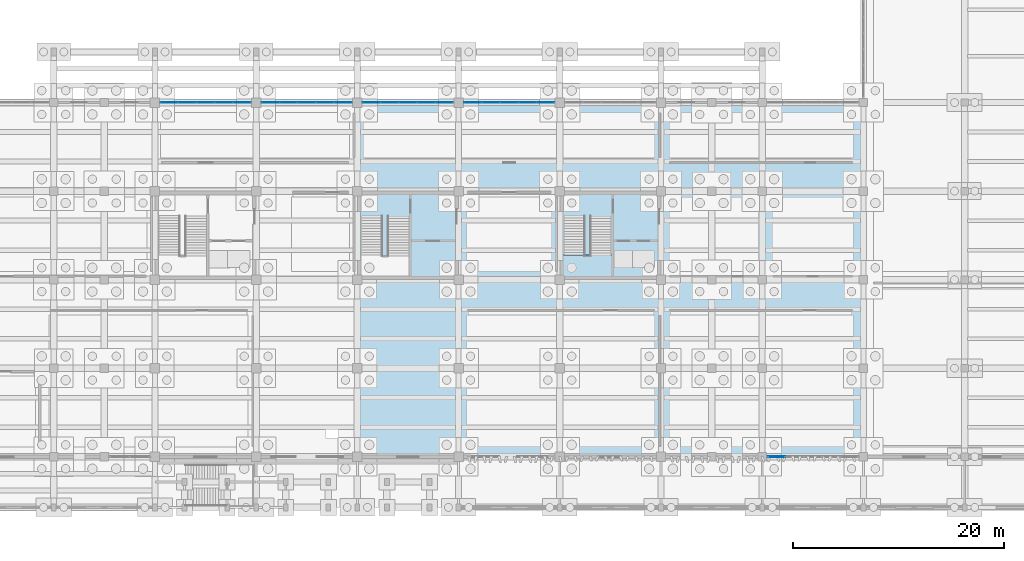
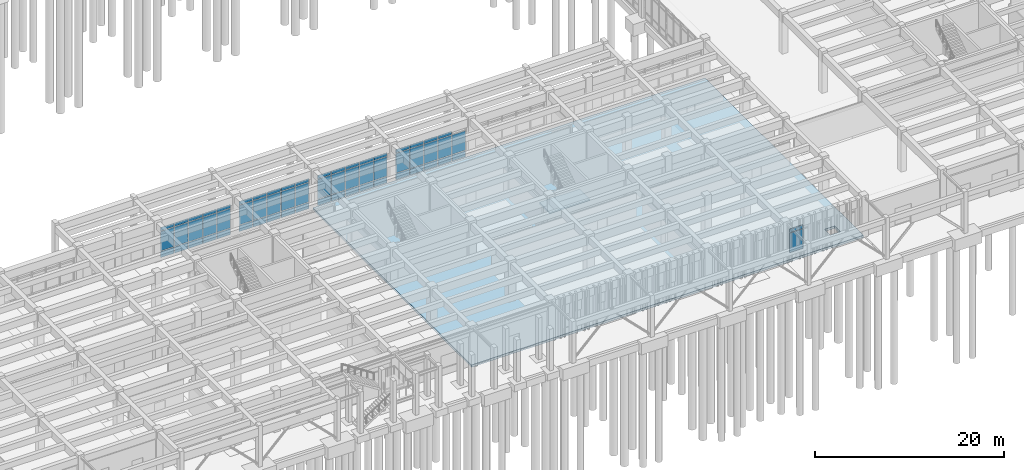
# One storey, part 58 of 102: 61 plates, 2 slabs, 6 elements without a shape of their own.
"""IFC4 building model written with IfcOpenShell, lengths in metres."""

from ifc_helpers import new_model, si_unit, direction, frame, origin, origin_2d, place, context, subcontext, project, spatial, polyline, rectangle, outline, extrude, material, layer, layer_set, type_object, element, aggregate, save


model = new_model("IFC4")

# Units and contexts
model_context = context("Model", 3, precision=1e-05, world=origin(), true_north=direction((0.0, 1.0)))
body_context = subcontext(model_context, "Body", "Model", "MODEL_VIEW")
ifc_project = project(units=[si_unit("LENGTHUNIT", "METRE"), si_unit("AREAUNIT", "SQUARE_METRE"), si_unit("VOLUMEUNIT", "CUBIC_METRE"), si_unit("PLANEANGLEUNIT", "RADIAN"), si_unit("MASSUNIT", "GRAM", prefix="KILO")], contexts=[model_context])

# Site, building, storey
site_placement = place(None, origin())
site = spatial("IfcSite", under=ifc_project, at=site_placement, CompositionType="ELEMENT")
building_placement = place(site_placement, origin())
building = spatial("IfcBuilding", under=site, at=building_placement, Name="Kolvemor Railside Polytechnic", CompositionType="ELEMENT")
storey_placement = place(building_placement, origin())
storey = spatial("IfcBuildingStorey", under=building, at=storey_placement, Name="L00", CompositionType="ELEMENT", Elevation=0.0)

# Curtain wall, plates
ifc_material_1 = material(Name="Anodised marine aluminium and laminated low-E glass", Category="aluminium")
ifc_layer_1 = layer(ifc_material_1, 0.179931640625, Name="CW-UNIT-STD")
ifc_layer_set_1 = layer_set([ifc_layer_1], Name="Anodised marine aluminium and laminated low-E glass")
curtain_wall_type = type_object("IfcCurtainWallType", Name="CW-UNIT-STD", PredefinedType="USERDEFINED", material=ifc_layer_set_1)
curtain_wall_1_placement = place(storey_placement, origin())
curtain_wall_1 = element("IfcCurtainWall", 1, at=curtain_wall_1_placement, inside=storey, type_object=curtain_wall_type, Name="Curtain Wall L00-107", ObjectType="UNITISED CURTAIN WALL", PredefinedType="USERDEFINED")
ifc_material_2 = material(Name="Hurricane-laminated solar-control low-E glass", Category="glass")
ifc_layer_2 = layer(ifc_material_2, 0.030029296875, Name="CWP-GLZ-05")
ifc_layer_set_2 = layer_set([ifc_layer_2], Name="Hurricane-laminated solar-control low-E glass")
plate_type_1 = type_object("IfcPlateType", Name="CWP-GLZ-05", PredefinedType="CURTAIN_PANEL", material=ifc_layer_set_2)
plate_1_placement = place(storey_placement, frame((75.44775390625, 38.39990234375, 0.06494140625), z_axis=(0.0, 0.0, 1.0), x_axis=(-1.0, 0.0, 0.0)))
plate_1 = element("IfcPlate", 2, at=plate_1_placement, type_object=plate_type_1, Name="CW-STD panel 1.1", PredefinedType="CURTAIN_PANEL", context=body_context, shape_type="SweptSolid", body=[
    extrude(rectangle(XDim=1.634521484375, YDim=0.030029296875, at=origin_2d()), origin(), (0.0, 0.0, 1.0), 0.802490234375),
])
plate_2_placement = place(storey_placement, frame((75.44775390625, 38.39990234375, 0.9326171875), z_axis=(0.0, 0.0, 1.0), x_axis=(-1.0, 0.0, 0.0)))
plate_2 = element("IfcPlate", 3, at=plate_2_placement, type_object=plate_type_1, Name="CW-STD panel 1.2", PredefinedType="CURTAIN_PANEL", context=body_context, shape_type="SweptSolid", body=[
    extrude(rectangle(XDim=1.634521484375, YDim=0.030029296875, at=origin_2d()), origin(), (0.0, 0.0, 1.0), 2.52490234375),
])
plate_3_placement = place(storey_placement, frame((75.44775390625, 38.39990234375, 3.5224609375), z_axis=(0.0, 0.0, 1.0), x_axis=(-1.0, 0.0, 0.0)))
plate_3 = element("IfcPlate", 4, at=plate_3_placement, type_object=plate_type_1, Name="CW-STD panel 1.3", PredefinedType="CURTAIN_PANEL", context=body_context, shape_type="SweptSolid", body=[
    extrude(rectangle(XDim=1.634521484375, YDim=0.030029296875, at=origin_2d()), origin(), (0.0, 0.0, 1.0), 0.452392578125),
])
plate_4_placement = place(storey_placement, frame((73.73193359375, 38.39990234375, 0.06494140625), z_axis=(0.0, 0.0, 1.0), x_axis=(-1.0, 0.0, 0.0)))
plate_4 = element("IfcPlate", 5, at=plate_4_placement, type_object=plate_type_1, Name="CW-STD panel 2.1", PredefinedType="CURTAIN_PANEL", context=body_context, shape_type="SweptSolid", body=[
    extrude(rectangle(XDim=1.6669921875, YDim=0.030029296875, at=origin_2d()), origin(), (0.0, 0.0, 1.0), 0.802490234375),
])
plate_5_placement = place(storey_placement, frame((73.73193359375, 38.39990234375, 0.9326171875), z_axis=(0.0, 0.0, 1.0), x_axis=(-1.0, 0.0, 0.0)))
plate_5 = element("IfcPlate", 6, at=plate_5_placement, type_object=plate_type_1, Name="CW-STD panel 2.2", PredefinedType="CURTAIN_PANEL", context=body_context, shape_type="SweptSolid", body=[
    extrude(rectangle(XDim=1.6669921875, YDim=0.030029296875, at=origin_2d()), origin(), (0.0, 0.0, 1.0), 2.52490234375),
])
plate_6_placement = place(storey_placement, frame((73.73193359375, 38.39990234375, 3.5224609375), z_axis=(0.0, 0.0, 1.0), x_axis=(-1.0, 0.0, 0.0)))
plate_6 = element("IfcPlate", 7, at=plate_6_placement, type_object=plate_type_1, Name="CW-STD panel 2.3", PredefinedType="CURTAIN_PANEL", context=body_context, shape_type="SweptSolid", body=[
    extrude(rectangle(XDim=1.6669921875, YDim=0.030029296875, at=origin_2d()), origin(), (0.0, 0.0, 1.0), 0.452392578125),
])
plate_7_placement = place(storey_placement, frame((72.0, 38.39990234375, 0.06494140625), z_axis=(0.0, 0.0, 1.0), x_axis=(-1.0, 0.0, 0.0)))
plate_7 = element("IfcPlate", 8, at=plate_7_placement, type_object=plate_type_1, Name="CW-STD panel 3.1", PredefinedType="CURTAIN_PANEL", context=body_context, shape_type="SweptSolid", body=[
    extrude(rectangle(XDim=1.6669921875, YDim=0.030029296875, at=origin_2d()), origin(), (0.0, 0.0, 1.0), 0.802490234375),
])
plate_8_placement = place(storey_placement, frame((72.0, 38.39990234375, 0.9326171875), z_axis=(0.0, 0.0, 1.0), x_axis=(-1.0, 0.0, 0.0)))
plate_8 = element("IfcPlate", 9, at=plate_8_placement, type_object=plate_type_1, Name="CW-STD panel 3.2", PredefinedType="CURTAIN_PANEL", context=body_context, shape_type="SweptSolid", body=[
    extrude(rectangle(XDim=1.6669921875, YDim=0.030029296875, at=origin_2d()), origin(), (0.0, 0.0, 1.0), 2.52490234375),
])
plate_9_placement = place(storey_placement, frame((72.0, 38.39990234375, 3.5224609375), z_axis=(0.0, 0.0, 1.0), x_axis=(-1.0, 0.0, 0.0)))
plate_9 = element("IfcPlate", 10, at=plate_9_placement, type_object=plate_type_1, Name="CW-STD panel 3.3", PredefinedType="CURTAIN_PANEL", context=body_context, shape_type="SweptSolid", body=[
    extrude(rectangle(XDim=1.6669921875, YDim=0.030029296875, at=origin_2d()), origin(), (0.0, 0.0, 1.0), 0.452392578125),
])
plate_10_placement = place(storey_placement, frame((70.26806640625, 38.39990234375, 0.06494140625), z_axis=(0.0, 0.0, 1.0), x_axis=(-1.0, 0.0, 0.0)))
plate_10 = element("IfcPlate", 11, at=plate_10_placement, type_object=plate_type_1, Name="CW-STD panel 4.1", PredefinedType="CURTAIN_PANEL", context=body_context, shape_type="SweptSolid", body=[
    extrude(rectangle(XDim=1.6669921875, YDim=0.030029296875, at=origin_2d()), origin(), (0.0, 0.0, 1.0), 0.802490234375),
])
plate_11_placement = place(storey_placement, frame((70.26806640625, 38.39990234375, 0.9326171875), z_axis=(0.0, 0.0, 1.0), x_axis=(-1.0, 0.0, 0.0)))
plate_11 = element("IfcPlate", 12, at=plate_11_placement, type_object=plate_type_1, Name="CW-STD panel 4.2", PredefinedType="CURTAIN_PANEL", context=body_context, shape_type="SweptSolid", body=[
    extrude(rectangle(XDim=1.6669921875, YDim=0.030029296875, at=origin_2d()), origin(), (0.0, 0.0, 1.0), 2.52490234375),
])
plate_12_placement = place(storey_placement, frame((70.26806640625, 38.39990234375, 3.5224609375), z_axis=(0.0, 0.0, 1.0), x_axis=(-1.0, 0.0, 0.0)))
plate_12 = element("IfcPlate", 13, at=plate_12_placement, type_object=plate_type_1, Name="CW-STD panel 4.3", PredefinedType="CURTAIN_PANEL", context=body_context, shape_type="SweptSolid", body=[
    extrude(rectangle(XDim=1.6669921875, YDim=0.030029296875, at=origin_2d()), origin(), (0.0, 0.0, 1.0), 0.452392578125),
])
plate_13_placement = place(storey_placement, frame((68.55224609375, 38.39990234375, 0.06494140625), z_axis=(0.0, 0.0, 1.0), x_axis=(-1.0, 0.0, 0.0)))
plate_13 = element("IfcPlate", 14, at=plate_13_placement, type_object=plate_type_1, Name="CW-STD panel 5.1", PredefinedType="CURTAIN_PANEL", context=body_context, shape_type="SweptSolid", body=[
    extrude(rectangle(XDim=1.634521484375, YDim=0.030029296875, at=origin_2d()), origin(), (0.0, 0.0, 1.0), 0.802490234375),
])
plate_14_placement = place(storey_placement, frame((68.55224609375, 38.39990234375, 0.9326171875), z_axis=(0.0, 0.0, 1.0), x_axis=(-1.0, 0.0, 0.0)))
plate_14 = element("IfcPlate", 15, at=plate_14_placement, type_object=plate_type_1, Name="CW-STD panel 5.2", PredefinedType="CURTAIN_PANEL", context=body_context, shape_type="SweptSolid", body=[
    extrude(rectangle(XDim=1.634521484375, YDim=0.030029296875, at=origin_2d()), origin(), (0.0, 0.0, 1.0), 2.52490234375),
])
plate_15_placement = place(storey_placement, frame((68.55224609375, 38.39990234375, 3.5224609375), z_axis=(0.0, 0.0, 1.0), x_axis=(-1.0, 0.0, 0.0)))
plate_15 = element("IfcPlate", 16, at=plate_15_placement, type_object=plate_type_1, Name="CW-STD panel 5.3", PredefinedType="CURTAIN_PANEL", context=body_context, shape_type="SweptSolid", body=[
    extrude(rectangle(XDim=1.634521484375, YDim=0.030029296875, at=origin_2d()), origin(), (0.0, 0.0, 1.0), 0.452392578125),
])
aggregate(curtain_wall_1, [plate_1, plate_2, plate_3, plate_4, plate_5, plate_6, plate_7, plate_8, plate_9, plate_10, plate_11, plate_12, plate_13, plate_14, plate_15])

curtain_wall_2_placement = place(storey_placement, origin())
curtain_wall_2 = element("IfcCurtainWall", 17, at=curtain_wall_2_placement, inside=storey, type_object=curtain_wall_type, Name="Curtain Wall L00-108", ObjectType="UNITISED CURTAIN WALL", PredefinedType="USERDEFINED")
ifc_material_3 = material(Name="Hurricane-laminated solar-control low-E glass", Category="glass")
ifc_layer_3 = layer(ifc_material_3, 0.031982421875, Name="CWP-GLZ-06")
ifc_layer_set_3 = layer_set([ifc_layer_3], Name="Hurricane-laminated solar-control low-E glass")
plate_type_2 = type_object("IfcPlateType", Name="CWP-GLZ-06", PredefinedType="CURTAIN_PANEL", material=ifc_layer_set_3)
plate_16_placement = place(storey_placement, frame((85.0478515625, 38.39990234375, 0.06494140625), z_axis=(0.0, 0.0, 1.0), x_axis=(-1.0, 0.0, 0.0)))
plate_16 = element("IfcPlate", 18, at=plate_16_placement, type_object=plate_type_2, Name="CW-STD panel 1.1", PredefinedType="CURTAIN_PANEL", context=body_context, shape_type="SweptSolid", body=[
    extrude(rectangle(XDim=1.634521484375, YDim=0.031982421875, at=origin_2d()), origin(), (0.0, 0.0, 1.0), 0.802490234375),
])
plate_17_placement = place(storey_placement, frame((85.0478515625, 38.39990234375, 0.9326171875), z_axis=(0.0, 0.0, 1.0), x_axis=(-1.0, 0.0, 0.0)))
plate_17 = element("IfcPlate", 19, at=plate_17_placement, type_object=plate_type_2, Name="CW-STD panel 1.2", PredefinedType="CURTAIN_PANEL", context=body_context, shape_type="SweptSolid", body=[
    extrude(rectangle(XDim=1.634521484375, YDim=0.031982421875, at=origin_2d()), origin(), (0.0, 0.0, 1.0), 2.52490234375),
])
plate_18_placement = place(storey_placement, frame((85.0478515625, 38.39990234375, 3.5224609375), z_axis=(0.0, 0.0, 1.0), x_axis=(-1.0, 0.0, 0.0)))
plate_18 = element("IfcPlate", 20, at=plate_18_placement, type_object=plate_type_2, Name="CW-STD panel 1.3", PredefinedType="CURTAIN_PANEL", context=body_context, shape_type="SweptSolid", body=[
    extrude(rectangle(XDim=1.634521484375, YDim=0.031982421875, at=origin_2d()), origin(), (0.0, 0.0, 1.0), 0.452392578125),
])
plate_19_placement = place(storey_placement, frame((83.33203125, 38.39990234375, 0.06494140625), z_axis=(0.0, 0.0, 1.0), x_axis=(-1.0, 0.0, 0.0)))
plate_19 = element("IfcPlate", 21, at=plate_19_placement, type_object=plate_type_2, Name="CW-STD panel 2.1", PredefinedType="CURTAIN_PANEL", context=body_context, shape_type="SweptSolid", body=[
    extrude(rectangle(XDim=1.6669921875, YDim=0.031982421875, at=origin_2d()), origin(), (0.0, 0.0, 1.0), 0.802490234375),
])
plate_20_placement = place(storey_placement, frame((83.33203125, 38.39990234375, 0.9326171875), z_axis=(0.0, 0.0, 1.0), x_axis=(-1.0, 0.0, 0.0)))
plate_20 = element("IfcPlate", 22, at=plate_20_placement, type_object=plate_type_2, Name="CW-STD panel 2.2", PredefinedType="CURTAIN_PANEL", context=body_context, shape_type="SweptSolid", body=[
    extrude(rectangle(XDim=1.6669921875, YDim=0.031982421875, at=origin_2d()), origin(), (0.0, 0.0, 1.0), 2.52490234375),
])
plate_21_placement = place(storey_placement, frame((83.33203125, 38.39990234375, 3.5224609375), z_axis=(0.0, 0.0, 1.0), x_axis=(-1.0, 0.0, 0.0)))
plate_21 = element("IfcPlate", 23, at=plate_21_placement, type_object=plate_type_2, Name="CW-STD panel 2.3", PredefinedType="CURTAIN_PANEL", context=body_context, shape_type="SweptSolid", body=[
    extrude(rectangle(XDim=1.6669921875, YDim=0.031982421875, at=origin_2d()), origin(), (0.0, 0.0, 1.0), 0.452392578125),
])
plate_22_placement = place(storey_placement, frame((81.60009765625, 38.39990234375, 0.06494140625), z_axis=(0.0, 0.0, 1.0), x_axis=(-1.0, 0.0, 0.0)))
plate_22 = element("IfcPlate", 24, at=plate_22_placement, type_object=plate_type_2, Name="CW-STD panel 3.1", PredefinedType="CURTAIN_PANEL", context=body_context, shape_type="SweptSolid", body=[
    extrude(rectangle(XDim=1.6669921875, YDim=0.031982421875, at=origin_2d()), origin(), (0.0, 0.0, 1.0), 0.802490234375),
])
plate_23_placement = place(storey_placement, frame((81.60009765625, 38.39990234375, 0.9326171875), z_axis=(0.0, 0.0, 1.0), x_axis=(-1.0, 0.0, 0.0)))
plate_23 = element("IfcPlate", 25, at=plate_23_placement, type_object=plate_type_2, Name="CW-STD panel 3.2", PredefinedType="CURTAIN_PANEL", context=body_context, shape_type="SweptSolid", body=[
    extrude(rectangle(XDim=1.6669921875, YDim=0.031982421875, at=origin_2d()), origin(), (0.0, 0.0, 1.0), 2.52490234375),
])
plate_24_placement = place(storey_placement, frame((81.60009765625, 38.39990234375, 3.5224609375), z_axis=(0.0, 0.0, 1.0), x_axis=(-1.0, 0.0, 0.0)))
plate_24 = element("IfcPlate", 26, at=plate_24_placement, type_object=plate_type_2, Name="CW-STD panel 3.3", PredefinedType="CURTAIN_PANEL", context=body_context, shape_type="SweptSolid", body=[
    extrude(rectangle(XDim=1.6669921875, YDim=0.031982421875, at=origin_2d()), origin(), (0.0, 0.0, 1.0), 0.452392578125),
])
plate_25_placement = place(storey_placement, frame((79.867919921875, 38.39990234375, 0.06494140625), z_axis=(0.0, 0.0, 1.0), x_axis=(-1.0, 0.0, 0.0)))
plate_25 = element("IfcPlate", 27, at=plate_25_placement, type_object=plate_type_2, Name="CW-STD panel 4.1", PredefinedType="CURTAIN_PANEL", context=body_context, shape_type="SweptSolid", body=[
    extrude(rectangle(XDim=1.6669921875, YDim=0.031982421875, at=origin_2d()), origin(), (0.0, 0.0, 1.0), 0.802490234375),
])
plate_26_placement = place(storey_placement, frame((79.867919921875, 38.39990234375, 0.9326171875), z_axis=(0.0, 0.0, 1.0), x_axis=(-1.0, 0.0, 0.0)))
plate_26 = element("IfcPlate", 28, at=plate_26_placement, type_object=plate_type_2, Name="CW-STD panel 4.2", PredefinedType="CURTAIN_PANEL", context=body_context, shape_type="SweptSolid", body=[
    extrude(rectangle(XDim=1.6669921875, YDim=0.031982421875, at=origin_2d()), origin(), (0.0, 0.0, 1.0), 2.52490234375),
])
plate_27_placement = place(storey_placement, frame((79.867919921875, 38.39990234375, 3.5224609375), z_axis=(0.0, 0.0, 1.0), x_axis=(-1.0, 0.0, 0.0)))
plate_27 = element("IfcPlate", 29, at=plate_27_placement, type_object=plate_type_2, Name="CW-STD panel 4.3", PredefinedType="CURTAIN_PANEL", context=body_context, shape_type="SweptSolid", body=[
    extrude(rectangle(XDim=1.6669921875, YDim=0.031982421875, at=origin_2d()), origin(), (0.0, 0.0, 1.0), 0.452392578125),
])
plate_28_placement = place(storey_placement, frame((78.15234375, 38.39990234375, 0.06494140625), z_axis=(0.0, 0.0, 1.0), x_axis=(-1.0, 0.0, 0.0)))
plate_28 = element("IfcPlate", 30, at=plate_28_placement, type_object=plate_type_2, Name="CW-STD panel 5.1", PredefinedType="CURTAIN_PANEL", context=body_context, shape_type="SweptSolid", body=[
    extrude(rectangle(XDim=1.634521484375, YDim=0.031982421875, at=origin_2d()), origin(), (0.0, 0.0, 1.0), 0.802490234375),
])
plate_29_placement = place(storey_placement, frame((78.15234375, 38.39990234375, 0.9326171875), z_axis=(0.0, 0.0, 1.0), x_axis=(-1.0, 0.0, 0.0)))
plate_29 = element("IfcPlate", 31, at=plate_29_placement, type_object=plate_type_2, Name="CW-STD panel 5.2", PredefinedType="CURTAIN_PANEL", context=body_context, shape_type="SweptSolid", body=[
    extrude(rectangle(XDim=1.634521484375, YDim=0.031982421875, at=origin_2d()), origin(), (0.0, 0.0, 1.0), 2.52490234375),
])
plate_30_placement = place(storey_placement, frame((78.15234375, 38.39990234375, 3.5224609375), z_axis=(0.0, 0.0, 1.0), x_axis=(-1.0, 0.0, 0.0)))
plate_30 = element("IfcPlate", 32, at=plate_30_placement, type_object=plate_type_2, Name="CW-STD panel 5.3", PredefinedType="CURTAIN_PANEL", context=body_context, shape_type="SweptSolid", body=[
    extrude(rectangle(XDim=1.634521484375, YDim=0.031982421875, at=origin_2d()), origin(), (0.0, 0.0, 1.0), 0.452392578125),
])
aggregate(curtain_wall_2, [plate_16, plate_17, plate_18, plate_19, plate_20, plate_21, plate_22, plate_23, plate_24, plate_25, plate_26, plate_27, plate_28, plate_29, plate_30])

curtain_wall_3_placement = place(storey_placement, origin())
curtain_wall_3 = element("IfcCurtainWall", 33, at=curtain_wall_3_placement, inside=storey, type_object=curtain_wall_type, Name="Curtain Wall L00-109", ObjectType="UNITISED CURTAIN WALL", PredefinedType="USERDEFINED")
ifc_material_4 = material(Name="Hurricane-laminated solar-control low-E glass", Category="glass")
ifc_layer_4 = layer(ifc_material_4, 0.033935546875, Name="CWP-GLZ-07")
ifc_layer_set_4 = layer_set([ifc_layer_4], Name="Hurricane-laminated solar-control low-E glass")
plate_type_3 = type_object("IfcPlateType", Name="CWP-GLZ-07", PredefinedType="CURTAIN_PANEL", material=ifc_layer_set_4)
plate_31_placement = place(storey_placement, frame((94.647705078125, 38.39990234375, 0.06494140625), z_axis=(0.0, 0.0, 1.0), x_axis=(-1.0, 0.0, 0.0)))
plate_31 = element("IfcPlate", 34, at=plate_31_placement, type_object=plate_type_3, Name="CW-STD panel 1.1", PredefinedType="CURTAIN_PANEL", context=body_context, shape_type="SweptSolid", body=[
    extrude(rectangle(XDim=1.634521484375, YDim=0.033935546875, at=origin_2d()), origin(), (0.0, 0.0, 1.0), 0.802490234375),
])
plate_32_placement = place(storey_placement, frame((94.647705078125, 38.39990234375, 0.9326171875), z_axis=(0.0, 0.0, 1.0), x_axis=(-1.0, 0.0, 0.0)))
plate_32 = element("IfcPlate", 35, at=plate_32_placement, type_object=plate_type_3, Name="CW-STD panel 1.2", PredefinedType="CURTAIN_PANEL", context=body_context, shape_type="SweptSolid", body=[
    extrude(rectangle(XDim=1.634521484375, YDim=0.033935546875, at=origin_2d()), origin(), (0.0, 0.0, 1.0), 2.52490234375),
])
plate_33_placement = place(storey_placement, frame((94.647705078125, 38.39990234375, 3.5224609375), z_axis=(0.0, 0.0, 1.0), x_axis=(-1.0, 0.0, 0.0)))
plate_33 = element("IfcPlate", 36, at=plate_33_placement, type_object=plate_type_3, Name="CW-STD panel 1.3", PredefinedType="CURTAIN_PANEL", context=body_context, shape_type="SweptSolid", body=[
    extrude(rectangle(XDim=1.634521484375, YDim=0.033935546875, at=origin_2d()), origin(), (0.0, 0.0, 1.0), 0.452392578125),
])
plate_34_placement = place(storey_placement, frame((92.931884765625, 38.39990234375, 0.06494140625), z_axis=(0.0, 0.0, 1.0), x_axis=(-1.0, 0.0, 0.0)))
plate_34 = element("IfcPlate", 37, at=plate_34_placement, type_object=plate_type_3, Name="CW-STD panel 2.1", PredefinedType="CURTAIN_PANEL", context=body_context, shape_type="SweptSolid", body=[
    extrude(rectangle(XDim=1.6669921875, YDim=0.033935546875, at=origin_2d()), origin(), (0.0, 0.0, 1.0), 0.802490234375),
])
plate_35_placement = place(storey_placement, frame((92.931884765625, 38.39990234375, 0.9326171875), z_axis=(0.0, 0.0, 1.0), x_axis=(-1.0, 0.0, 0.0)))
plate_35 = element("IfcPlate", 38, at=plate_35_placement, type_object=plate_type_3, Name="CW-STD panel 2.2", PredefinedType="CURTAIN_PANEL", context=body_context, shape_type="SweptSolid", body=[
    extrude(rectangle(XDim=1.6669921875, YDim=0.033935546875, at=origin_2d()), origin(), (0.0, 0.0, 1.0), 2.52490234375),
])
plate_36_placement = place(storey_placement, frame((92.931884765625, 38.39990234375, 3.5224609375), z_axis=(0.0, 0.0, 1.0), x_axis=(-1.0, 0.0, 0.0)))
plate_36 = element("IfcPlate", 39, at=plate_36_placement, type_object=plate_type_3, Name="CW-STD panel 2.3", PredefinedType="CURTAIN_PANEL", context=body_context, shape_type="SweptSolid", body=[
    extrude(rectangle(XDim=1.6669921875, YDim=0.033935546875, at=origin_2d()), origin(), (0.0, 0.0, 1.0), 0.452392578125),
])
plate_37_placement = place(storey_placement, frame((91.199951171875, 38.39990234375, 0.06494140625), z_axis=(0.0, 0.0, 1.0), x_axis=(-1.0, 0.0, 0.0)))
plate_37 = element("IfcPlate", 40, at=plate_37_placement, type_object=plate_type_3, Name="CW-STD panel 3.1", PredefinedType="CURTAIN_PANEL", context=body_context, shape_type="SweptSolid", body=[
    extrude(rectangle(XDim=1.6669921875, YDim=0.033935546875, at=origin_2d()), origin(), (0.0, 0.0, 1.0), 0.802490234375),
])
plate_38_placement = place(storey_placement, frame((91.199951171875, 38.39990234375, 0.9326171875), z_axis=(0.0, 0.0, 1.0), x_axis=(-1.0, 0.0, 0.0)))
plate_38 = element("IfcPlate", 41, at=plate_38_placement, type_object=plate_type_3, Name="CW-STD panel 3.2", PredefinedType="CURTAIN_PANEL", context=body_context, shape_type="SweptSolid", body=[
    extrude(rectangle(XDim=1.6669921875, YDim=0.033935546875, at=origin_2d()), origin(), (0.0, 0.0, 1.0), 2.52490234375),
])
plate_39_placement = place(storey_placement, frame((91.199951171875, 38.39990234375, 3.5224609375), z_axis=(0.0, 0.0, 1.0), x_axis=(-1.0, 0.0, 0.0)))
plate_39 = element("IfcPlate", 42, at=plate_39_placement, type_object=plate_type_3, Name="CW-STD panel 3.3", PredefinedType="CURTAIN_PANEL", context=body_context, shape_type="SweptSolid", body=[
    extrude(rectangle(XDim=1.6669921875, YDim=0.033935546875, at=origin_2d()), origin(), (0.0, 0.0, 1.0), 0.452392578125),
])
plate_40_placement = place(storey_placement, frame((89.468017578125, 38.39990234375, 0.06494140625), z_axis=(0.0, 0.0, 1.0), x_axis=(-1.0, 0.0, 0.0)))
plate_40 = element("IfcPlate", 43, at=plate_40_placement, type_object=plate_type_3, Name="CW-STD panel 4.1", PredefinedType="CURTAIN_PANEL", context=body_context, shape_type="SweptSolid", body=[
    extrude(rectangle(XDim=1.6669921875, YDim=0.033935546875, at=origin_2d()), origin(), (0.0, 0.0, 1.0), 0.802490234375),
])
plate_41_placement = place(storey_placement, frame((89.468017578125, 38.39990234375, 0.9326171875), z_axis=(0.0, 0.0, 1.0), x_axis=(-1.0, 0.0, 0.0)))
plate_41 = element("IfcPlate", 44, at=plate_41_placement, type_object=plate_type_3, Name="CW-STD panel 4.2", PredefinedType="CURTAIN_PANEL", context=body_context, shape_type="SweptSolid", body=[
    extrude(rectangle(XDim=1.6669921875, YDim=0.033935546875, at=origin_2d()), origin(), (0.0, 0.0, 1.0), 2.52490234375),
])
plate_42_placement = place(storey_placement, frame((89.468017578125, 38.39990234375, 3.5224609375), z_axis=(0.0, 0.0, 1.0), x_axis=(-1.0, 0.0, 0.0)))
plate_42 = element("IfcPlate", 45, at=plate_42_placement, type_object=plate_type_3, Name="CW-STD panel 4.3", PredefinedType="CURTAIN_PANEL", context=body_context, shape_type="SweptSolid", body=[
    extrude(rectangle(XDim=1.6669921875, YDim=0.033935546875, at=origin_2d()), origin(), (0.0, 0.0, 1.0), 0.452392578125),
])
plate_43_placement = place(storey_placement, frame((87.752197265625, 38.39990234375, 0.06494140625), z_axis=(0.0, 0.0, 1.0), x_axis=(-1.0, 0.0, 0.0)))
plate_43 = element("IfcPlate", 46, at=plate_43_placement, type_object=plate_type_3, Name="CW-STD panel 5.1", PredefinedType="CURTAIN_PANEL", context=body_context, shape_type="SweptSolid", body=[
    extrude(rectangle(XDim=1.634521484375, YDim=0.033935546875, at=origin_2d()), origin(), (0.0, 0.0, 1.0), 0.802490234375),
])
plate_44_placement = place(storey_placement, frame((87.752197265625, 38.39990234375, 0.9326171875), z_axis=(0.0, 0.0, 1.0), x_axis=(-1.0, 0.0, 0.0)))
plate_44 = element("IfcPlate", 47, at=plate_44_placement, type_object=plate_type_3, Name="CW-STD panel 5.2", PredefinedType="CURTAIN_PANEL", context=body_context, shape_type="SweptSolid", body=[
    extrude(rectangle(XDim=1.634521484375, YDim=0.033935546875, at=origin_2d()), origin(), (0.0, 0.0, 1.0), 2.52490234375),
])
plate_45_placement = place(storey_placement, frame((87.752197265625, 38.39990234375, 3.5224609375), z_axis=(0.0, 0.0, 1.0), x_axis=(-1.0, 0.0, 0.0)))
plate_45 = element("IfcPlate", 48, at=plate_45_placement, type_object=plate_type_3, Name="CW-STD panel 5.3", PredefinedType="CURTAIN_PANEL", context=body_context, shape_type="SweptSolid", body=[
    extrude(rectangle(XDim=1.634521484375, YDim=0.033935546875, at=origin_2d()), origin(), (0.0, 0.0, 1.0), 0.452392578125),
])
aggregate(curtain_wall_3, [plate_31, plate_32, plate_33, plate_34, plate_35, plate_36, plate_37, plate_38, plate_39, plate_40, plate_41, plate_42, plate_43, plate_44, plate_45])

curtain_wall_4_placement = place(storey_placement, origin())
curtain_wall_4 = element("IfcCurtainWall", 49, at=curtain_wall_4_placement, inside=storey, type_object=curtain_wall_type, Name="Curtain Wall L00-110", ObjectType="UNITISED CURTAIN WALL", PredefinedType="USERDEFINED")
ifc_material_5 = material(Name="Hurricane-laminated solar-control low-E glass", Category="glass")
ifc_layer_5 = layer(ifc_material_5, 0.035888671875, Name="CWP-GLZ-08")
ifc_layer_set_5 = layer_set([ifc_layer_5], Name="Hurricane-laminated solar-control low-E glass")
plate_type_4 = type_object("IfcPlateType", Name="CWP-GLZ-08", PredefinedType="CURTAIN_PANEL", material=ifc_layer_set_5)
plate_46_placement = place(storey_placement, frame((104.247802734375, 38.39990234375, 0.06494140625), z_axis=(0.0, 0.0, 1.0), x_axis=(-1.0, 0.0, 0.0)))
plate_46 = element("IfcPlate", 50, at=plate_46_placement, type_object=plate_type_4, Name="CW-STD panel 1.1", PredefinedType="CURTAIN_PANEL", context=body_context, shape_type="SweptSolid", body=[
    extrude(rectangle(XDim=1.634521484375, YDim=0.035888671875, at=origin_2d()), origin(), (0.0, 0.0, 1.0), 0.802490234375),
])
plate_47_placement = place(storey_placement, frame((104.247802734375, 38.39990234375, 0.9326171875), z_axis=(0.0, 0.0, 1.0), x_axis=(-1.0, 0.0, 0.0)))
plate_47 = element("IfcPlate", 51, at=plate_47_placement, type_object=plate_type_4, Name="CW-STD panel 1.2", PredefinedType="CURTAIN_PANEL", context=body_context, shape_type="SweptSolid", body=[
    extrude(rectangle(XDim=1.634521484375, YDim=0.035888671875, at=origin_2d()), origin(), (0.0, 0.0, 1.0), 2.52490234375),
])
plate_48_placement = place(storey_placement, frame((102.531982421875, 38.39990234375, 0.06494140625), z_axis=(0.0, 0.0, 1.0), x_axis=(-1.0, 0.0, 0.0)))
plate_48 = element("IfcPlate", 52, at=plate_48_placement, type_object=plate_type_4, Name="CW-STD panel 2.1", PredefinedType="CURTAIN_PANEL", context=body_context, shape_type="SweptSolid", body=[
    extrude(rectangle(XDim=1.6669921875, YDim=0.035888671875, at=origin_2d()), origin(), (0.0, 0.0, 1.0), 0.802490234375),
])
plate_49_placement = place(storey_placement, frame((102.531982421875, 38.39990234375, 0.9326171875), z_axis=(0.0, 0.0, 1.0), x_axis=(-1.0, 0.0, 0.0)))
plate_49 = element("IfcPlate", 53, at=plate_49_placement, type_object=plate_type_4, Name="CW-STD panel 2.2", PredefinedType="CURTAIN_PANEL", context=body_context, shape_type="SweptSolid", body=[
    extrude(rectangle(XDim=1.6669921875, YDim=0.035888671875, at=origin_2d()), origin(), (0.0, 0.0, 1.0), 2.52490234375),
])
plate_50_placement = place(storey_placement, frame((102.531982421875, 38.39990234375, 3.5224609375), z_axis=(0.0, 0.0, 1.0), x_axis=(-1.0, 0.0, 0.0)))
plate_50 = element("IfcPlate", 54, at=plate_50_placement, type_object=plate_type_4, Name="CW-STD panel 2.3", PredefinedType="CURTAIN_PANEL", context=body_context, shape_type="SweptSolid", body=[
    extrude(rectangle(XDim=1.6669921875, YDim=0.035888671875, at=origin_2d()), origin(), (0.0, 0.0, 1.0), 0.452392578125),
])
plate_51_placement = place(storey_placement, frame((100.800048828125, 38.39990234375, 0.06494140625), z_axis=(0.0, 0.0, 1.0), x_axis=(-1.0, 0.0, 0.0)))
plate_51 = element("IfcPlate", 55, at=plate_51_placement, type_object=plate_type_4, Name="CW-STD panel 3.1", PredefinedType="CURTAIN_PANEL", context=body_context, shape_type="SweptSolid", body=[
    extrude(rectangle(XDim=1.6669921875, YDim=0.035888671875, at=origin_2d()), origin(), (0.0, 0.0, 1.0), 0.802490234375),
])
plate_52_placement = place(storey_placement, frame((100.800048828125, 38.39990234375, 0.9326171875), z_axis=(0.0, 0.0, 1.0), x_axis=(-1.0, 0.0, 0.0)))
plate_52 = element("IfcPlate", 56, at=plate_52_placement, type_object=plate_type_4, Name="CW-STD panel 3.2", PredefinedType="CURTAIN_PANEL", context=body_context, shape_type="SweptSolid", body=[
    extrude(rectangle(XDim=1.6669921875, YDim=0.035888671875, at=origin_2d()), origin(), (0.0, 0.0, 1.0), 2.52490234375),
])
plate_53_placement = place(storey_placement, frame((100.800048828125, 38.39990234375, 3.5224609375), z_axis=(0.0, 0.0, 1.0), x_axis=(-1.0, 0.0, 0.0)))
plate_53 = element("IfcPlate", 57, at=plate_53_placement, type_object=plate_type_4, Name="CW-STD panel 3.3", PredefinedType="CURTAIN_PANEL", context=body_context, shape_type="SweptSolid", body=[
    extrude(rectangle(XDim=1.6669921875, YDim=0.035888671875, at=origin_2d()), origin(), (0.0, 0.0, 1.0), 0.452392578125),
])
plate_54_placement = place(storey_placement, frame((99.068115234375, 38.39990234375, 0.06494140625), z_axis=(0.0, 0.0, 1.0), x_axis=(-1.0, 0.0, 0.0)))
plate_54 = element("IfcPlate", 58, at=plate_54_placement, type_object=plate_type_4, Name="CW-STD panel 4.1", PredefinedType="CURTAIN_PANEL", context=body_context, shape_type="SweptSolid", body=[
    extrude(rectangle(XDim=1.6669921875, YDim=0.035888671875, at=origin_2d()), origin(), (0.0, 0.0, 1.0), 0.802490234375),
])
plate_55_placement = place(storey_placement, frame((99.068115234375, 38.39990234375, 0.9326171875), z_axis=(0.0, 0.0, 1.0), x_axis=(-1.0, 0.0, 0.0)))
plate_55 = element("IfcPlate", 59, at=plate_55_placement, type_object=plate_type_4, Name="CW-STD panel 4.2", PredefinedType="CURTAIN_PANEL", context=body_context, shape_type="SweptSolid", body=[
    extrude(rectangle(XDim=1.6669921875, YDim=0.035888671875, at=origin_2d()), origin(), (0.0, 0.0, 1.0), 2.52490234375),
])
plate_56_placement = place(storey_placement, frame((99.068115234375, 38.39990234375, 3.5224609375), z_axis=(0.0, 0.0, 1.0), x_axis=(-1.0, 0.0, 0.0)))
plate_56 = element("IfcPlate", 60, at=plate_56_placement, type_object=plate_type_4, Name="CW-STD panel 4.3", PredefinedType="CURTAIN_PANEL", context=body_context, shape_type="SweptSolid", body=[
    extrude(rectangle(XDim=1.6669921875, YDim=0.035888671875, at=origin_2d()), origin(), (0.0, 0.0, 1.0), 0.452392578125),
])
plate_57_placement = place(storey_placement, frame((97.352294921875, 38.39990234375, 0.06494140625), z_axis=(0.0, 0.0, 1.0), x_axis=(-1.0, 0.0, 0.0)))
plate_57 = element("IfcPlate", 61, at=plate_57_placement, type_object=plate_type_4, Name="CW-STD panel 5.1", PredefinedType="CURTAIN_PANEL", context=body_context, shape_type="SweptSolid", body=[
    extrude(rectangle(XDim=1.634521484375, YDim=0.035888671875, at=origin_2d()), origin(), (0.0, 0.0, 1.0), 0.802490234375),
])
plate_58_placement = place(storey_placement, frame((97.352294921875, 38.39990234375, 0.9326171875), z_axis=(0.0, 0.0, 1.0), x_axis=(-1.0, 0.0, 0.0)))
plate_58 = element("IfcPlate", 62, at=plate_58_placement, type_object=plate_type_4, Name="CW-STD panel 5.2", PredefinedType="CURTAIN_PANEL", context=body_context, shape_type="SweptSolid", body=[
    extrude(rectangle(XDim=1.634521484375, YDim=0.035888671875, at=origin_2d()), origin(), (0.0, 0.0, 1.0), 2.52490234375),
])
plate_59_placement = place(storey_placement, frame((97.352294921875, 38.39990234375, 3.5224609375), z_axis=(0.0, 0.0, 1.0), x_axis=(-1.0, 0.0, 0.0)))
plate_59 = element("IfcPlate", 63, at=plate_59_placement, type_object=plate_type_4, Name="CW-STD panel 5.3", PredefinedType="CURTAIN_PANEL", context=body_context, shape_type="SweptSolid", body=[
    extrude(rectangle(XDim=1.634521484375, YDim=0.035888671875, at=origin_2d()), origin(), (0.0, 0.0, 1.0), 0.452392578125),
])
aggregate(curtain_wall_4, [plate_46, plate_47, plate_48, plate_49, plate_50, plate_51, plate_52, plate_53, plate_54, plate_55, plate_56, plate_57, plate_58, plate_59])

curtain_wall_5_placement = place(storey_placement, origin())
curtain_wall_5 = element("IfcCurtainWall", 64, at=curtain_wall_5_placement, inside=storey, type_object=curtain_wall_type, Name="Curtain Wall L00-095", ObjectType="UNITISED CURTAIN WALL", PredefinedType="USERDEFINED")
ifc_material_6 = material(Name="Hurricane-laminated solar-control low-E glass", Category="glass")
ifc_layer_6 = layer(ifc_material_6, 0.053955078125, Name="CWP-GLZ-17")
ifc_layer_set_6 = layer_set([ifc_layer_6], Name="Hurricane-laminated solar-control low-E glass")
plate_type_5 = type_object("IfcPlateType", Name="CWP-GLZ-17", PredefinedType="CURTAIN_PANEL", material=ifc_layer_set_6)
plate_60_placement = place(storey_placement, frame((126.15478515625, 4.800048828125, 0.9375), z_axis=(0.0, 0.0, 1.0), x_axis=(1.0, 0.0, 0.0)))
plate_60 = element("IfcPlate", 65, at=plate_60_placement, type_object=plate_type_5, Name="CW-STD panel 1.2", PredefinedType="CURTAIN_PANEL", context=body_context, shape_type="SweptSolid", body=[
    extrude(rectangle(XDim=1.619384765625, YDim=0.053955078125, at=origin_2d()), origin(), (0.0, 0.0, 1.0), 2.514892578125),
])
plate_61_placement = place(storey_placement, frame((126.15478515625, 4.800048828125, 3.527587890625), z_axis=(0.0, 0.0, 1.0), x_axis=(1.0, 0.0, 0.0)))
plate_61 = element("IfcPlate", 66, at=plate_61_placement, type_object=plate_type_5, Name="CW-STD panel 1.3", PredefinedType="CURTAIN_PANEL", context=body_context, shape_type="SweptSolid", body=[
    extrude(rectangle(XDim=1.619384765625, YDim=0.053955078125, at=origin_2d()), origin(), (0.0, 0.0, 1.0), 0.4375),
])
aggregate(curtain_wall_5, [plate_60, plate_61])

# Slab
ifc_material_7 = material(Name="Concrete C40/50", Category="concrete")
ifc_layer_7 = layer(ifc_material_7, 0.300048828125, Name="SLB-BASE-STD")
ifc_layer_set_7 = layer_set([ifc_layer_7], Name="Concrete C40/50")
slab_type_1 = type_object("IfcSlabType", Name="SLB-BASE-STD", PredefinedType="BASESLAB", material=ifc_layer_set_7)
slab_1_placement = place(storey_placement, frame((0.0, 0.0, -0.300048828125)))
element("IfcSlab", 67, at=slab_1_placement, inside=storey, type_object=slab_type_1, Name="Main Stack Base Slab L00-15", PredefinedType="BASESLAB", context=body_context, shape_type="SweptSolid", body=[
    extrude(outline(polyline([(86.39990234375, 4.800048828125), (134.39990234375, 4.800048828125), (134.39990234375, 38.39990234375), (86.39990234375, 38.39990234375), (86.39990234375, 4.800048828125)]), holes=[polyline([(131.39990234375, 6.60009765625), (132.60009765625, 6.60009765625), (132.60009765625, 7.800048828125), (131.39990234375, 7.800048828125), (131.39990234375, 6.60009765625)])]), origin(), (0.0, 0.0, 1.0), 0.300048828125),
])

# Stair, slab
ifc_material_8 = material(Name="Concrete C40/50", Category="concrete")
stair_type = type_object("IfcStairType", Name="STR-CORE-540", PredefinedType="HALF_TURN_STAIR", material=ifc_material_8)
stair_placement = place(storey_placement, origin())
stair = element("IfcStair", 68, at=stair_placement, inside=storey, type_object=stair_type, Name="Core Stair ST-2 (L00 to L01)", PredefinedType="HALF_TURN_STAIR")
ifc_material_9 = material(Name="Concrete C40/50", Category="concrete")
ifc_layer_8 = layer(ifc_material_9, 0.199951171875, Name="SLB-LND-200")
ifc_layer_set_8 = layer_set([ifc_layer_8], Name="Concrete C40/50")
slab_type_2 = type_object("IfcSlabType", Name="SLB-LND-200", PredefinedType="LANDING", material=ifc_layer_set_8)
slab_2_placement = place(storey_placement, frame((0.0, 0.0, 2.5)))
slab_2 = element("IfcSlab", 69, at=slab_2_placement, type_object=slab_type_2, Name="ST-2-L00 landing 1", PredefinedType="LANDING", context=body_context, shape_type="SweptSolid", body=[
    extrude(outline(polyline([(105.75, 21.75), (110.699951171875, 21.75), (110.699951171875, 23.919921875), (105.75, 23.919921875), (105.75, 21.75)])), origin(), (0.0, 0.0, 1.0), 0.199951171875),
])
aggregate(stair, [slab_2])

save(model, "model.ifc")
